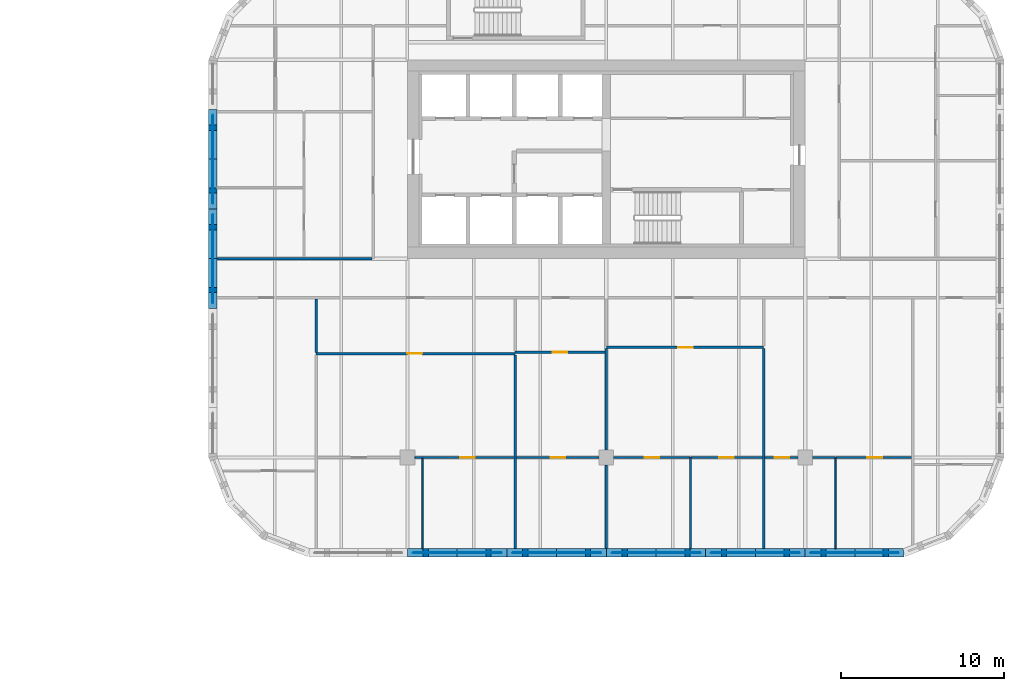
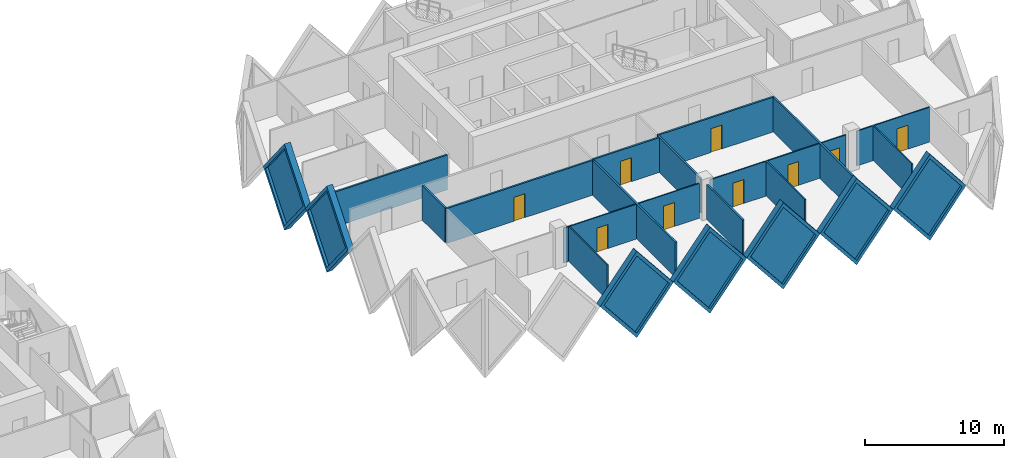
# One storey, part 12 of 19: 26 walls, 9 doors, 7 plates, 16 openings.
"""IFC4 building model written with IfcOpenShell, lengths in metres."""

from ifc_helpers import new_model, si_unit, direction, frame, frame_2d, origin, place, context, subcontext, project, spatial, polyline, rectangle, outline, extrude, faceted_brep, source, transform, mapped, material, layer, layer_set, type_object, element, fill, save


model = new_model("IFC4")

# Units and contexts
model_context = context("Model", 3, precision=1e-05, world=origin(), true_north=direction((0.0, 1.0)))
body_context = subcontext(model_context, "Body", "Model", "MODEL_VIEW")
ifc_project = project(units=[si_unit("LENGTHUNIT", "METRE"), si_unit("AREAUNIT", "SQUARE_METRE"), si_unit("VOLUMEUNIT", "CUBIC_METRE"), si_unit("PLANEANGLEUNIT", "RADIAN"), si_unit("MASSUNIT", "GRAM", prefix="KILO")], contexts=[model_context])

# Site, building, storey
site_placement = place(None, origin())
site = spatial("IfcSite", under=ifc_project, at=site_placement, CompositionType="ELEMENT")
building_placement = place(site_placement, origin())
building = spatial("IfcBuilding", under=site, at=building_placement, Name="Tessera Gate Towers", CompositionType="ELEMENT")
storey_placement = place(building_placement, frame((0.0, 0.0, 29.60009765625)))
storey = spatial("IfcBuildingStorey", under=building, at=storey_placement, Name="L06", CompositionType="ELEMENT", Elevation=29.60009765625)

# Walls
ifc_material_1 = material(Name="Gypsum board on steel studs, mineral wool", Category="steel")
ifc_layer_1 = layer(ifc_material_1, 0.14990234375)
ifc_layer_set_1 = layer_set([ifc_layer_1], Name="CORRIDOR WALL 150")
wall_type_1 = type_object("IfcWallType", Name="CORRIDOR WALL 150", PredefinedType="PARTITIONING", material=ifc_layer_set_1)
wall_1_placement = place(storey_placement, frame((85.89990234375, 36.60009765625, 0.0), z_axis=(0.0, 0.0, 1.0), x_axis=(1.0, 0.0, 0.0)))
element("IfcWall", 1, at=wall_1_placement, inside=storey, type_object=wall_type_1, Name="T2-L06-PW-028", PredefinedType="PARTITIONING", context=body_context, shape_type="SweptSolid", body=[
    extrude(rectangle(XDim=9.524169921875, YDim=0.14990234375, at=frame_2d((4.76220703125, 0.0))), origin(), (0.0, 0.0, 1.0), 3.06689453125),
])
ifc_material_2 = material(Name="Gypsum board on steel studs", Category="steel")
ifc_layer_2 = layer(ifc_material_2, 0.10009765625)
ifc_layer_set_2 = layer_set([ifc_layer_2], Name="PARTITION 100")
wall_type_2 = type_object("IfcWallType", Name="PARTITION 100", PredefinedType="PARTITIONING", material=ifc_layer_set_2)
wall_2_placement = place(storey_placement, frame((98.527099609375, 18.800048828125, 0.0), z_axis=(0.0, 0.0, 1.0), x_axis=(0.0, 1.0, 0.0)))
element("IfcWall", 2, at=wall_2_placement, inside=storey, type_object=wall_type_2, Name="T2-L06-PW-002", PredefinedType="PARTITIONING", context=body_context, shape_type="SweptSolid", body=[
    extrude(rectangle(XDim=5.549072265625, YDim=0.10009765625, at=frame_2d((2.7744140625, 0.0))), origin(), (0.0, 0.0, 1.0), 3.06689453125),
])
for number, where, z_axis, x_axis, name in (
    (3, (114.962890625, 18.800048828125, 0.0), (0.0, 0.0, 1.0), (0.0, 1.0, 0.0), "T2-L06-PW-005"),
    (4, (123.8701171875, 18.800048828125, 0.0), (0.0, 0.0, 1.0), (0.0, 1.0, 0.0), "T2-L06-PW-007"),
):
    element("IfcWall", number, at=place(storey_placement, frame(where, z_axis=z_axis, x_axis=x_axis)), inside=storey, type_object=wall_type_2, Name=name, PredefinedType="PARTITIONING", context=body_context, shape_type="SweptSolid", body=[
        extrude(rectangle(XDim=5.599853515625, YDim=0.10009765625, at=frame_2d((2.7998046875, 0.0))), origin(), (0.0, 0.0, 1.0), 3.06689453125),
    ])

# Wall, opening, door
wall_3_placement = place(storey_placement, frame((104.1240234375, 24.39990234375, 0.0), z_axis=(0.0, 0.0, 1.0), x_axis=(-1.0, 0.0, 0.0)))
wall_3 = element("IfcWall", 5, at=wall_3_placement, inside=storey, type_object=wall_type_2, Name="T2-L06-PW-012", PredefinedType="PARTITIONING", context=body_context, shape_type="SweptSolid", body=[
    extrude(rectangle(XDim=6.072998046875, YDim=0.10009765625, at=frame_2d((3.03662109375, 0.0))), origin(), (0.0, 0.0, 1.0), 3.06689453125),
])
shared_shape_1 = source(origin(), body_context, "Body", "SweptSolid", [
    extrude(rectangle(XDim=0.89990234375, YDim=2.10009765625, at=frame_2d((0.449951171875, 1.050048828125))), frame((0.0, 0.06005859375, 0.0), z_axis=(0.0, -1.0, 0.0), x_axis=(1.0, 0.0, 0.0)), (0.0, 0.0, 1.0), 0.1201171875),
])
opening_1_placement = place(wall_3_placement, frame((2.39599609375, 0.0, 0.0)))
opening_1 = element("IfcOpeningElement", 6, at=opening_1_placement, cuts=wall_3, Name="Opening D190-B03-12", PredefinedType="OPENING", context=body_context, shape_type="MappedRepresentation", body=[
    mapped(shared_shape_1, transform((0.0, 0.0, 0.0), scale=1.0)),
])
ifc_material_3 = material(Name="Timber door leaf in steel frame", Category="steel")
door_type = type_object("IfcDoorType", Name="INTERNAL DOOR 900 NOT RATED", OperationType="NOTDEFINED", PredefinedType="DOOR", material=ifc_material_3)
shared_shape_2 = source(origin(), body_context, "Body", "SweptSolid", [
    extrude(rectangle(XDim=0.89990234375, YDim=2.10009765625, at=frame_2d((0.449951171875, 1.050048828125))), frame((0.0, 0.02490234375, 0.0), z_axis=(0.0, -1.0, 0.0), x_axis=(1.0, 0.0, 0.0)), (0.0, 0.0, 1.0), 0.050048828125),
])
door_1_placement = place(opening_1_placement, origin())
door_1 = element("IfcDoor", 7, at=door_1_placement, inside=storey, type_object=door_type, Name="T2-L06-PD-015", OperationType="SINGLE_SWING_RIGHT", OverallHeight=2.10009765625, OverallWidth=0.89990234375, PredefinedType="DOOR", context=body_context, shape_type="MappedRepresentation", body=[
    mapped(shared_shape_2, transform((0.0, 0.0, 0.0), scale=1.0)),
])
fill(opening_1, door_1)

wall_4_placement = place(storey_placement, frame((109.34912109375, 24.39990234375, 0.0), z_axis=(0.0, 0.0, 1.0), x_axis=(-1.0, 0.0, 0.0)))
wall_4 = element("IfcWall", 8, at=wall_4_placement, inside=storey, type_object=wall_type_2, Name="T2-L06-PW-013", PredefinedType="PARTITIONING", context=body_context, shape_type="SweptSolid", body=[
    extrude(rectangle(XDim=5.0732421875, YDim=0.10009765625, at=frame_2d((2.53662109375, 0.0))), origin(), (0.0, 0.0, 1.0), 3.06689453125),
])
opening_2_placement = place(wall_4_placement, frame((2.072998046875, 0.0, 0.0)))
opening_2 = element("IfcOpeningElement", 9, at=opening_2_placement, cuts=wall_4, Name="Opening D190-B03-08", PredefinedType="OPENING", context=body_context, shape_type="MappedRepresentation", body=[
    mapped(shared_shape_1, transform((0.0, 0.0, 0.0), scale=1.0)),
])
door_2_placement = place(opening_2_placement, origin())
door_2 = element("IfcDoor", 10, at=door_2_placement, inside=storey, type_object=door_type, Name="T2-L06-PD-009", OperationType="SINGLE_SWING_RIGHT", OverallHeight=2.10009765625, OverallWidth=0.89990234375, PredefinedType="DOOR", context=body_context, shape_type="MappedRepresentation", body=[
    mapped(shared_shape_2, transform((0.0, 0.0, 0.0), scale=1.0)),
])
fill(opening_2, door_2)

wall_5_placement = place(storey_placement, frame((114.91162109375, 24.39990234375, 0.0), z_axis=(0.0, 0.0, 1.0), x_axis=(-1.0, 0.0, 0.0)))
wall_5 = element("IfcWall", 11, at=wall_5_placement, inside=storey, type_object=wall_type_2, Name="T2-L06-PW-014", PredefinedType="PARTITIONING", context=body_context, shape_type="SweptSolid", body=[
    extrude(rectangle(XDim=4.66064453125, YDim=0.10009765625, at=frame_2d((2.330322265625, 0.0))), origin(), (0.0, 0.0, 1.0), 3.06689453125),
])
opening_3_placement = place(wall_5_placement, frame((1.860595703125, 0.0, 0.0)))
opening_3 = element("IfcOpeningElement", 12, at=opening_3_placement, cuts=wall_5, Name="Opening D190-B03-07", PredefinedType="OPENING", context=body_context, shape_type="MappedRepresentation", body=[
    mapped(shared_shape_1, transform((0.0, 0.0, 0.0), scale=1.0)),
])
door_3_placement = place(opening_3_placement, origin())
door_3 = element("IfcDoor", 13, at=door_3_placement, inside=storey, type_object=door_type, Name="T2-L06-PD-007", OperationType="SINGLE_SWING_RIGHT", OverallHeight=2.10009765625, OverallWidth=0.89990234375, PredefinedType="DOOR", context=body_context, shape_type="MappedRepresentation", body=[
    mapped(shared_shape_2, transform((0.0, 0.0, 0.0), scale=1.0)),
])
fill(opening_3, door_3)

wall_6_placement = place(storey_placement, frame((119.3740234375, 24.39990234375, 0.0), z_axis=(0.0, 0.0, 1.0), x_axis=(-1.0, 0.0, 0.0)))
wall_6 = element("IfcWall", 14, at=wall_6_placement, inside=storey, type_object=wall_type_2, Name="T2-L06-PW-015", PredefinedType="PARTITIONING", context=body_context, shape_type="SweptSolid", body=[
    extrude(rectangle(XDim=4.360107421875, YDim=0.10009765625, at=frame_2d((2.18017578125, 0.0))), origin(), (0.0, 0.0, 1.0), 3.06689453125),
])
opening_4_placement = place(wall_6_placement, frame((1.76025390625, 0.0, 0.0)))
opening_4 = element("IfcOpeningElement", 15, at=opening_4_placement, cuts=wall_6, Name="Opening D190-B03-04", PredefinedType="OPENING", context=body_context, shape_type="MappedRepresentation", body=[
    mapped(shared_shape_1, transform((0.0, 0.0, 0.0), scale=1.0)),
])
door_4_placement = place(opening_4_placement, origin())
door_4 = element("IfcDoor", 16, at=door_4_placement, inside=storey, type_object=door_type, Name="T2-L06-PD-004", OperationType="SINGLE_SWING_RIGHT", OverallHeight=2.10009765625, OverallWidth=0.89990234375, PredefinedType="DOOR", context=body_context, shape_type="MappedRepresentation", body=[
    mapped(shared_shape_2, transform((0.0, 0.0, 0.0), scale=1.0)),
])
fill(opening_4, door_4)

wall_7_placement = place(storey_placement, frame((121.549072265625, 24.39990234375, 0.0), z_axis=(0.0, 0.0, 1.0), x_axis=(-1.0, 0.0, 0.0)))
wall_7 = element("IfcWall", 17, at=wall_7_placement, inside=storey, type_object=wall_type_2, Name="T2-L06-PW-016", PredefinedType="PARTITIONING", context=body_context, shape_type="SweptSolid", body=[
    extrude(rectangle(XDim=2.023193359375, YDim=0.10009765625, at=frame_2d((1.01171875, 0.0))), origin(), (0.0, 0.0, 1.0), 3.06689453125),
])
opening_5_placement = place(wall_7_placement, frame((0.52294921875, 0.0, 0.0)))
opening_5 = element("IfcOpeningElement", 18, at=opening_5_placement, cuts=wall_7, Name="Opening D190-B03-01", PredefinedType="OPENING", context=body_context, shape_type="MappedRepresentation", body=[
    mapped(shared_shape_1, transform((0.0, 0.0, 0.0), scale=1.0)),
])
door_5_placement = place(opening_5_placement, origin())
door_5 = element("IfcDoor", 19, at=door_5_placement, inside=storey, type_object=door_type, Name="T2-L06-PD-001", OperationType="SINGLE_SWING_RIGHT", OverallHeight=2.10009765625, OverallWidth=0.89990234375, PredefinedType="DOOR", context=body_context, shape_type="MappedRepresentation", body=[
    mapped(shared_shape_2, transform((0.0, 0.0, 0.0), scale=1.0)),
])
fill(opening_5, door_5)

# Wall
wall_8_placement = place(storey_placement, frame((122.450927734375, 24.39990234375, 0.0), z_axis=(0.0, 0.0, 1.0), x_axis=(1.0, 0.0, 0.0)))
element("IfcWall", 20, at=wall_8_placement, inside=storey, type_object=wall_type_2, Name="T2-L06-PW-017", PredefinedType="PARTITIONING", context=body_context, shape_type="SweptSolid", body=[
    extrude(rectangle(XDim=1.368408203125, YDim=0.10009765625, at=frame_2d((0.68408203125, 0.0))), origin(), (0.0, 0.0, 1.0), 3.06689453125),
])

# Wall, opening, door
wall_9_placement = place(storey_placement, frame((128.52392578125, 24.39990234375, 0.0), z_axis=(0.0, 0.0, 1.0), x_axis=(-1.0, 0.0, 0.0)))
wall_9 = element("IfcWall", 21, at=wall_9_placement, inside=storey, type_object=wall_type_2, Name="T2-L06-PW-018", PredefinedType="PARTITIONING", context=body_context, shape_type="SweptSolid", body=[
    extrude(rectangle(XDim=4.6025390625, YDim=0.10009765625, at=frame_2d((2.30126953125, 0.0))), origin(), (0.0, 0.0, 1.0), 3.06689453125),
])
opening_6_placement = place(wall_9_placement, frame((1.802734375, 0.0, 0.0)))
opening_6 = element("IfcOpeningElement", 22, at=opening_6_placement, cuts=wall_9, Name="Opening D190-B03-05", PredefinedType="OPENING", context=body_context, shape_type="MappedRepresentation", body=[
    mapped(shared_shape_1, transform((0.0, 0.0, 0.0), scale=1.0)),
])
door_6_placement = place(opening_6_placement, origin())
door_6 = element("IfcDoor", 23, at=door_6_placement, inside=storey, type_object=door_type, Name="T2-L06-PD-005", OperationType="SINGLE_SWING_RIGHT", OverallHeight=2.10009765625, OverallWidth=0.89990234375, PredefinedType="DOOR", context=body_context, shape_type="MappedRepresentation", body=[
    mapped(shared_shape_2, transform((0.0, 0.0, 0.0), scale=1.0)),
])
fill(opening_6, door_6)

# Walls
ifc_material_4 = material(Name="Gypsum board on steel studs, mineral wool", Category="steel")
ifc_layer_3 = layer(ifc_material_4, 0.14990234375)
ifc_layer_set_3 = layer_set([ifc_layer_3], Name="TENANCY WALL 150")
wall_type_3 = type_object("IfcWallType", Name="TENANCY WALL 150", PredefinedType="PARTITIONING", material=ifc_layer_set_3)
wall_10_placement = place(storey_placement, frame((104.199951171875, 18.800048828125, 0.0), z_axis=(0.0, 0.0, 1.0), x_axis=(0.0, 1.0, 0.0)))
element("IfcWall", 24, at=wall_10_placement, inside=storey, type_object=wall_type_3, Name="T2-L06-PW-003", PredefinedType="PARTITIONING", context=body_context, shape_type="SweptSolid", body=[
    extrude(rectangle(XDim=11.89892578125, YDim=0.14990234375, at=frame_2d((5.949462890625, 0.0))), origin(), (0.0, 0.0, 1.0), 3.06689453125),
])
wall_11_placement = place(storey_placement, frame((109.800048828125, 18.800048828125, 0.0), z_axis=(0.0, 0.0, 1.0), x_axis=(0.0, 1.0, 0.0)))
element("IfcWall", 25, at=wall_11_placement, inside=storey, type_object=wall_type_3, Name="T2-L06-PW-004", PredefinedType="PARTITIONING", context=body_context, shape_type="SweptSolid", body=[
    extrude(rectangle(XDim=5.14892578125, YDim=0.14990234375, at=frame_2d((2.574462890625, 0.0))), origin(), (0.0, 0.0, 1.0), 3.06689453125),
])
wall_12_placement = place(storey_placement, frame((119.449951171875, 18.800048828125, 0.0), z_axis=(0.0, 0.0, 1.0), x_axis=(0.0, 1.0, 0.0)))
element("IfcWall", 26, at=wall_12_placement, inside=storey, type_object=wall_type_3, Name="T2-L06-PW-006", PredefinedType="PARTITIONING", context=body_context, shape_type="SweptSolid", body=[
    extrude(rectangle(XDim=12.27392578125, YDim=0.14990234375, at=frame_2d((6.136962890625, 0.0))), origin(), (0.0, 0.0, 1.0), 3.06689453125),
])
wall_13_placement = place(storey_placement, frame((109.800048828125, 24.85107421875, 0.0), z_axis=(0.0, 0.0, 1.0), x_axis=(0.0, 1.0, 0.0)))
element("IfcWall", 27, at=wall_13_placement, inside=storey, type_object=wall_type_3, Name="T2-L06-PW-019", PredefinedType="PARTITIONING", context=body_context, shape_type="SweptSolid", body=[
    extrude(rectangle(XDim=6.222900390625, YDim=0.14990234375, at=frame_2d((3.111328125, 0.0))), origin(), (0.0, 0.0, 1.0), 3.06689453125),
])

# Wall, opening, door
wall_14_placement = place(storey_placement, frame((104.199951171875, 30.77490234375, 0.0), z_axis=(0.0, 0.0, 1.0), x_axis=(-1.0, 0.0, 0.0)))
wall_14 = element("IfcWall", 28, at=wall_14_placement, inside=storey, type_object=wall_type_3, Name="T2-L06-PW-020", PredefinedType="PARTITIONING", context=body_context, shape_type="SweptSolid", body=[
    extrude(rectangle(XDim=12.199951171875, YDim=0.14990234375, at=frame_2d((6.10009765625, 0.0))), origin(), (0.0, 0.0, 1.0), 3.06689453125),
])
shared_shape_3 = source(origin(), body_context, "Body", "SweptSolid", [
    extrude(rectangle(XDim=0.89990234375, YDim=2.10009765625, at=frame_2d((0.449951171875, 1.050048828125))), frame((0.0, 0.0849609375, 0.0), z_axis=(0.0, -1.0, 0.0), x_axis=(1.0, 0.0, 0.0)), (0.0, 0.0, 1.0), 0.169921875),
])
opening_7_placement = place(wall_14_placement, frame((5.699951171875, 0.0, 0.0)))
opening_7 = element("IfcOpeningElement", 29, at=opening_7_placement, cuts=wall_14, Name="Opening D190-B03-17", PredefinedType="OPENING", context=body_context, shape_type="MappedRepresentation", body=[
    mapped(shared_shape_3, transform((0.0, 0.0, 0.0), scale=1.0)),
])
door_7_placement = place(opening_7_placement, origin())
door_7 = element("IfcDoor", 30, at=door_7_placement, inside=storey, type_object=door_type, Name="T2-L06-PD-027", OperationType="SINGLE_SWING_RIGHT", OverallHeight=2.10009765625, OverallWidth=0.89990234375, PredefinedType="DOOR", context=body_context, shape_type="MappedRepresentation", body=[
    mapped(shared_shape_2, transform((0.0, 0.0, 0.0), scale=1.0)),
])
fill(opening_7, door_7)

# Wall
wall_15_placement = place(storey_placement, frame((92.0, 30.85107421875, 0.0), z_axis=(0.0, 0.0, 1.0), x_axis=(0.0, 1.0, 0.0)))
element("IfcWall", 31, at=wall_15_placement, inside=storey, type_object=wall_type_3, Name="T2-L06-PW-021", PredefinedType="PARTITIONING", context=body_context, shape_type="SweptSolid", body=[
    extrude(rectangle(XDim=3.27294921875, YDim=0.14990234375, at=frame_2d((1.636474609375, 0.0))), origin(), (0.0, 0.0, 1.0), 3.06689453125),
])

# Wall, opening, door
wall_16_placement = place(storey_placement, frame((109.72412109375, 30.85009765625, 0.0), z_axis=(0.0, 0.0, 1.0), x_axis=(-1.0, 0.0, 0.0)))
wall_16 = element("IfcWall", 32, at=wall_16_placement, inside=storey, type_object=wall_type_3, Name="T2-L06-PW-022", PredefinedType="PARTITIONING", context=body_context, shape_type="SweptSolid", body=[
    extrude(rectangle(XDim=5.523193359375, YDim=0.14990234375, at=frame_2d((2.76171875, 0.0))), origin(), (0.0, 0.0, 1.0), 3.06689453125),
])
opening_8_placement = place(wall_16_placement, frame((2.322998046875, 0.0, 0.0)))
opening_8 = element("IfcOpeningElement", 33, at=opening_8_placement, cuts=wall_16, Name="Opening D190-B03-10", PredefinedType="OPENING", context=body_context, shape_type="MappedRepresentation", body=[
    mapped(shared_shape_3, transform((0.0, 0.0, 0.0), scale=1.0)),
])
door_8_placement = place(opening_8_placement, origin())
door_8 = element("IfcDoor", 34, at=door_8_placement, inside=storey, type_object=door_type, Name="T2-L06-PD-013", OperationType="SINGLE_SWING_RIGHT", OverallHeight=2.10009765625, OverallWidth=0.89990234375, PredefinedType="DOOR", context=body_context, shape_type="MappedRepresentation", body=[
    mapped(shared_shape_2, transform((0.0, 0.0, 0.0), scale=1.0)),
])
fill(opening_8, door_8)

wall_17_placement = place(storey_placement, frame((119.449951171875, 31.14990234375, 0.0), z_axis=(0.0, 0.0, 1.0), x_axis=(-1.0, 0.0, 0.0)))
wall_17 = element("IfcWall", 35, at=wall_17_placement, inside=storey, type_object=wall_type_3, Name="T2-L06-PW-024", PredefinedType="PARTITIONING", context=body_context, shape_type="SweptSolid", body=[
    extrude(rectangle(XDim=9.64990234375, YDim=0.14990234375, at=frame_2d((4.824951171875, 0.0))), origin(), (0.0, 0.0, 1.0), 3.06689453125),
])
opening_9_placement = place(wall_17_placement, frame((4.35009765625, 0.0, 0.0)))
opening_9 = element("IfcOpeningElement", 36, at=opening_9_placement, cuts=wall_17, Name="Opening D190-B03-16", PredefinedType="OPENING", context=body_context, shape_type="MappedRepresentation", body=[
    mapped(shared_shape_3, transform((0.0, 0.0, 0.0), scale=1.0)),
])
door_9_placement = place(opening_9_placement, origin())
door_9 = element("IfcDoor", 37, at=door_9_placement, inside=storey, type_object=door_type, Name="T2-L06-PD-024", OperationType="SINGLE_SWING_RIGHT", OverallHeight=2.10009765625, OverallWidth=0.89990234375, PredefinedType="DOOR", context=body_context, shape_type="MappedRepresentation", body=[
    mapped(shared_shape_2, transform((0.0, 0.0, 0.0), scale=1.0)),
])
fill(opening_9, door_9)

# Wall, opening, plate
ifc_material_5 = material(Name="Precast concrete C60/75 white", Category="concrete")
ifc_layer_4 = layer(ifc_material_5, 0.5)
ifc_layer_set_4 = layer_set([ifc_layer_4], Name="TS1 tessera")
wall_type_4 = type_object("IfcWallType", Name="TS1 tessera", PredefinedType="SOLIDWALL", material=ifc_layer_set_4)
shared_shape_4 = source(origin(), body_context, "Body", "Brep", [
    faceted_brep([(3.050048828125, -0.25, 0.0), (6.099853515625, -0.25, 3.7998046875), (6.099853515625, -0.25, 3.80029296875), (3.050048828125, -0.25, 7.599853515625), (0.0, -0.25, 3.800048828125), (0.0, 0.25, 3.800048828125), (3.050048828125, 0.25, 7.599853515625), (6.099853515625, 0.25, 3.80029296875), (6.099853515625, 0.25, 3.7998046875), (3.050048828125, 0.25, 0.0)], [[[0, 1, 2, 3, 4]], [[5, 6, 7, 8, 9]], [[9, 8, 1, 0]], [[7, 6, 3, 2]], [[6, 5, 4, 3]], [[5, 9, 0, 4]], [[1, 8, 7, 2]]]),
])
wall_18_placement = place(storey_placement, frame((97.60009765625, 18.550048828125, -3.800048828125), z_axis=(0.0, 0.0, 1.0), x_axis=(1.0, 0.0, 0.0)))
wall_18 = element("IfcWall", 38, at=wall_18_placement, inside=storey, type_object=wall_type_4, Name="Precast tessera T2 TS1-0019", PredefinedType="SOLIDWALL", context=body_context, shape_type="MappedRepresentation", body=[
    mapped(shared_shape_4, transform((0.0, 0.0, 0.0), scale=1.0)),
])
shared_shape_5 = source(origin(), body_context, "Body", "SweptSolid", [
    extrude(outline(polyline([(3.050048828125, 0.3994140625), (5.779541015625, 3.800048828125), (3.050048828125, 7.200439453125), (0.320556640625, 3.800048828125), (3.050048828125, 0.3994140625)])), frame((0.0, 0.260009765625, 0.0), z_axis=(0.0, -1.0, 0.0), x_axis=(1.0, 0.0, 0.0)), (0.0, 0.0, 1.0), 0.52001953125),
])
opening_10_placement = place(wall_18_placement, origin())
opening_10 = element("IfcOpeningElement", 39, at=opening_10_placement, cuts=wall_18, Name="Opening T2-PL2-0035", PredefinedType="OPENING", context=body_context, shape_type="MappedRepresentation", body=[
    mapped(shared_shape_5, transform((0.0, 0.0, 0.0), scale=1.0)),
])
ifc_material_6 = material(Name="Low-e laminated glass", Category="glass")
ifc_layer_5 = layer(ifc_material_6, 0.06005859375)
ifc_layer_set_5 = layer_set([ifc_layer_5], Name="PL2 rhombic pane")
plate_type = type_object("IfcPlateType", Name="PL2 rhombic pane", PredefinedType="SHEET", material=ifc_layer_set_5)
shared_shape_6 = source(origin(), body_context, "Body", "SweptSolid", [
    extrude(outline(polyline([(3.050048828125, 0.3994140625), (5.779541015625, 3.800048828125), (3.050048828125, 7.200439453125), (0.320556640625, 3.800048828125), (3.050048828125, 0.3994140625)])), frame((0.0, 0.030029296875, 0.0), z_axis=(0.0, -1.0, 0.0), x_axis=(1.0, 0.0, 0.0)), (0.0, 0.0, 1.0), 0.06005859375),
])
plate_1_placement = place(opening_10_placement, origin())
plate_1 = element("IfcPlate", 40, at=plate_1_placement, inside=storey, type_object=plate_type, Name="Glass pane T2 PL2-0035", PredefinedType="SHEET", context=body_context, shape_type="MappedRepresentation", body=[
    mapped(shared_shape_6, transform((0.0, 0.0, 0.0), scale=1.0)),
])
fill(opening_10, plate_1)

wall_19_placement = place(storey_placement, frame((109.800048828125, 18.550048828125, -3.800048828125), z_axis=(0.0, 0.0, 1.0), x_axis=(1.0, 0.0, 0.0)))
wall_19 = element("IfcWall", 41, at=wall_19_placement, inside=storey, type_object=wall_type_4, Name="Precast tessera T2 TS1-0021", PredefinedType="SOLIDWALL", context=body_context, shape_type="MappedRepresentation", body=[
    mapped(shared_shape_4, transform((0.0, 0.0, 0.0), scale=1.0)),
])
opening_11_placement = place(wall_19_placement, origin())
opening_11 = element("IfcOpeningElement", 42, at=opening_11_placement, cuts=wall_19, Name="Opening T2-PL2-0037", PredefinedType="OPENING", context=body_context, shape_type="MappedRepresentation", body=[
    mapped(shared_shape_5, transform((0.0, 0.0, 0.0), scale=1.0)),
])
plate_2_placement = place(opening_11_placement, origin())
plate_2 = element("IfcPlate", 43, at=plate_2_placement, inside=storey, type_object=plate_type, Name="Glass pane T2 PL2-0037", PredefinedType="SHEET", context=body_context, shape_type="MappedRepresentation", body=[
    mapped(shared_shape_6, transform((0.0, 0.0, 0.0), scale=1.0)),
])
fill(opening_11, plate_2)

wall_20_placement = place(storey_placement, frame((85.64990234375, 39.64990234375, -3.800048828125), z_axis=(0.0, 0.0, 1.0), x_axis=(0.0, -1.0, 0.0)))
wall_20 = element("IfcWall", 44, at=wall_20_placement, inside=storey, type_object=wall_type_4, Name="Precast tessera T2 TS1-0034", PredefinedType="SOLIDWALL", context=body_context, shape_type="MappedRepresentation", body=[
    mapped(shared_shape_4, transform((0.0, 0.0, 0.0), scale=1.0)),
])
opening_12_placement = place(wall_20_placement, origin())
opening_12 = element("IfcOpeningElement", 45, at=opening_12_placement, cuts=wall_20, Name="Opening T2-PL2-0062", PredefinedType="OPENING", context=body_context, shape_type="MappedRepresentation", body=[
    mapped(shared_shape_5, transform((0.0, 0.0, 0.0), scale=1.0)),
])
plate_3_placement = place(opening_12_placement, origin())
plate_3 = element("IfcPlate", 46, at=plate_3_placement, inside=storey, type_object=plate_type, Name="Glass pane T2 PL2-0062", PredefinedType="SHEET", context=body_context, shape_type="MappedRepresentation", body=[
    mapped(shared_shape_6, transform((0.0, 0.0, 0.0), scale=1.0)),
])
fill(opening_12, plate_3)

shared_shape_7 = source(origin(), body_context, "Body", "SweptSolid", [
    extrude(outline(polyline([(3.050048828125, 0.0), (6.10009765625, 3.800048828125), (3.050048828125, 7.599853515625), (0.0, 3.800048828125), (3.050048828125, 0.0)])), frame((0.0, 0.25, 0.0), z_axis=(0.0, -1.0, 0.0), x_axis=(1.0, 0.0, 0.0)), (0.0, 0.0, 1.0), 0.5),
])
wall_21_placement = place(storey_placement, frame((103.699951171875, 18.550048828125, -3.800048828125), z_axis=(0.0, 0.0, 1.0), x_axis=(1.0, 0.0, 0.0)))
wall_21 = element("IfcWall", 47, at=wall_21_placement, inside=storey, type_object=wall_type_4, Name="Precast tessera T2 TS1-0020", PredefinedType="SOLIDWALL", context=body_context, shape_type="MappedRepresentation", body=[
    mapped(shared_shape_7, transform((0.0, 0.0, 0.0), scale=1.0)),
])
opening_13_placement = place(wall_21_placement, origin())
opening_13 = element("IfcOpeningElement", 48, at=opening_13_placement, cuts=wall_21, Name="Opening T2-PL2-0036", PredefinedType="OPENING", context=body_context, shape_type="MappedRepresentation", body=[
    mapped(shared_shape_5, transform((0.0, 0.0, 0.0), scale=1.0)),
])
plate_4_placement = place(opening_13_placement, origin())
plate_4 = element("IfcPlate", 49, at=plate_4_placement, inside=storey, type_object=plate_type, Name="Glass pane T2 PL2-0036", PredefinedType="SHEET", context=body_context, shape_type="MappedRepresentation", body=[
    mapped(shared_shape_6, transform((0.0, 0.0, 0.0), scale=1.0)),
])
fill(opening_13, plate_4)

wall_22_placement = place(storey_placement, frame((115.89990234375, 18.550048828125, -3.800048828125), z_axis=(0.0, 0.0, 1.0), x_axis=(1.0, 0.0, 0.0)))
wall_22 = element("IfcWall", 50, at=wall_22_placement, inside=storey, type_object=wall_type_4, Name="Precast tessera T2 TS1-0022", PredefinedType="SOLIDWALL", context=body_context, shape_type="MappedRepresentation", body=[
    mapped(shared_shape_7, transform((0.0, 0.0, 0.0), scale=1.0)),
])
opening_14_placement = place(wall_22_placement, origin())
opening_14 = element("IfcOpeningElement", 51, at=opening_14_placement, cuts=wall_22, Name="Opening T2-PL2-0038", PredefinedType="OPENING", context=body_context, shape_type="MappedRepresentation", body=[
    mapped(shared_shape_5, transform((0.0, 0.0, 0.0), scale=1.0)),
])
plate_5_placement = place(opening_14_placement, origin())
plate_5 = element("IfcPlate", 52, at=plate_5_placement, inside=storey, type_object=plate_type, Name="Glass pane T2 PL2-0038", PredefinedType="SHEET", context=body_context, shape_type="MappedRepresentation", body=[
    mapped(shared_shape_6, transform((0.0, 0.0, 0.0), scale=1.0)),
])
fill(opening_14, plate_5)

wall_23_placement = place(storey_placement, frame((85.64990234375, 45.75, -3.800048828125), z_axis=(0.0, 0.0, 1.0), x_axis=(0.0, -1.0, 0.0)))
wall_23 = element("IfcWall", 53, at=wall_23_placement, inside=storey, type_object=wall_type_4, Name="Precast tessera T2 TS1-0033", PredefinedType="SOLIDWALL", context=body_context, shape_type="MappedRepresentation", body=[
    mapped(shared_shape_7, transform((0.0, 0.0, 0.0), scale=1.0)),
])
opening_15_placement = place(wall_23_placement, origin())
opening_15 = element("IfcOpeningElement", 54, at=opening_15_placement, cuts=wall_23, Name="Opening T2-PL2-0061", PredefinedType="OPENING", context=body_context, shape_type="MappedRepresentation", body=[
    mapped(shared_shape_5, transform((0.0, 0.0, 0.0), scale=1.0)),
])
plate_6_placement = place(opening_15_placement, origin())
plate_6 = element("IfcPlate", 55, at=plate_6_placement, inside=storey, type_object=plate_type, Name="Glass pane T2 PL2-0061", PredefinedType="SHEET", context=body_context, shape_type="MappedRepresentation", body=[
    mapped(shared_shape_6, transform((0.0, 0.0, 0.0), scale=1.0)),
])
fill(opening_15, plate_6)

shared_shape_8 = source(origin(), body_context, "Body", "Brep", [
    faceted_brep([(3.050048828125, -0.25, 0.0), (6.053466796875, -0.25, 3.800048828125), (3.050048828125, -0.25, 7.599853515625), (0.0, -0.25, 3.800048828125), (0.0, 0.25, 3.800048828125), (3.050048828125, 0.25, 7.599853515625), (6.0068359375, 0.25, 3.85888671875), (6.0068359375, 0.25, 3.7412109375), (3.050048828125, 0.25, 0.0), (6.053466796875, 0.0, 3.800048828125)], [[[0, 1, 2, 3]], [[4, 5, 6, 7, 8]], [[8, 7, 9, 1, 0]], [[6, 5, 2, 1, 9]], [[5, 4, 3, 2]], [[4, 8, 0, 3]], [[7, 6, 9]]]),
])
wall_24_placement = place(storey_placement, frame((122.0, 18.550048828125, -3.800048828125), z_axis=(0.0, 0.0, 1.0), x_axis=(1.0, 0.0, 0.0)))
wall_24 = element("IfcWall", 56, at=wall_24_placement, inside=storey, type_object=wall_type_4, Name="Precast tessera T2 TS1-0023", PredefinedType="SOLIDWALL", context=body_context, shape_type="MappedRepresentation", body=[
    mapped(shared_shape_8, transform((0.0, 0.0, 0.0), scale=1.0)),
])
shared_shape_9 = source(origin(), body_context, "Body", "SweptSolid", [
    extrude(outline(polyline([(3.048583984375, 0.401123046875), (5.73486328125, 3.800048828125), (3.048583984375, 7.19873046875), (0.320556640625, 3.800048828125), (3.048583984375, 0.401123046875)])), frame((0.0, 0.260009765625, 0.0), z_axis=(0.0, -1.0, 0.0), x_axis=(1.0, 0.0, 0.0)), (0.0, 0.0, 1.0), 0.52001953125),
])
opening_16_placement = place(wall_24_placement, origin())
opening_16 = element("IfcOpeningElement", 57, at=opening_16_placement, cuts=wall_24, Name="Opening T2-PL2-0039", PredefinedType="OPENING", context=body_context, shape_type="MappedRepresentation", body=[
    mapped(shared_shape_9, transform((0.0, 0.0, 0.0), scale=1.0)),
])
shared_shape_10 = source(origin(), body_context, "Body", "SweptSolid", [
    extrude(outline(polyline([(3.048583984375, 0.401123046875), (5.73486328125, 3.800048828125), (3.048583984375, 7.19873046875), (0.320556640625, 3.800048828125), (3.048583984375, 0.401123046875)])), frame((0.0, 0.030029296875, 0.0), z_axis=(0.0, -1.0, 0.0), x_axis=(1.0, 0.0, 0.0)), (0.0, 0.0, 1.0), 0.06005859375),
])
plate_7_placement = place(opening_16_placement, origin())
plate_7 = element("IfcPlate", 58, at=plate_7_placement, inside=storey, type_object=plate_type, Name="Glass pane T2 PL2-0039", PredefinedType="SHEET", context=body_context, shape_type="MappedRepresentation", body=[
    mapped(shared_shape_10, transform((0.0, 0.0, 0.0), scale=1.0)),
])
fill(opening_16, plate_7)

save(model, "model.ifc")
